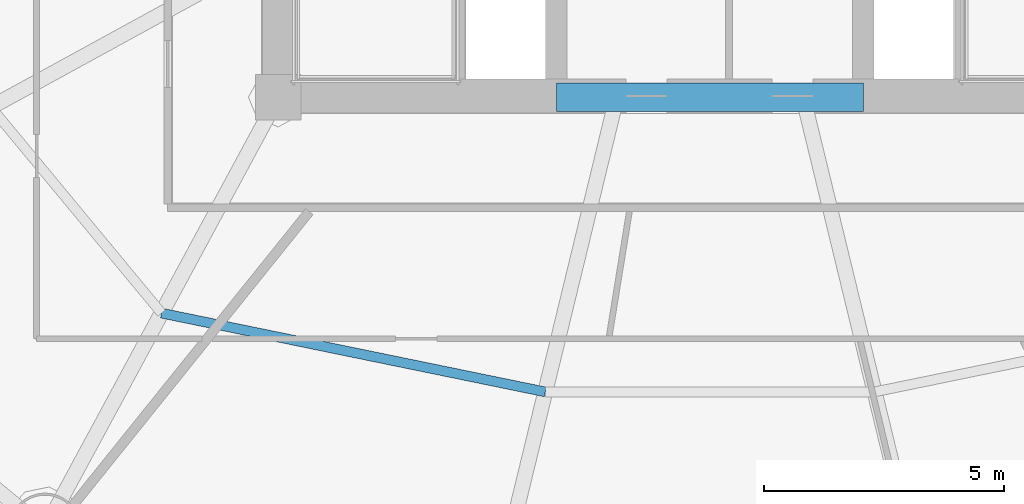
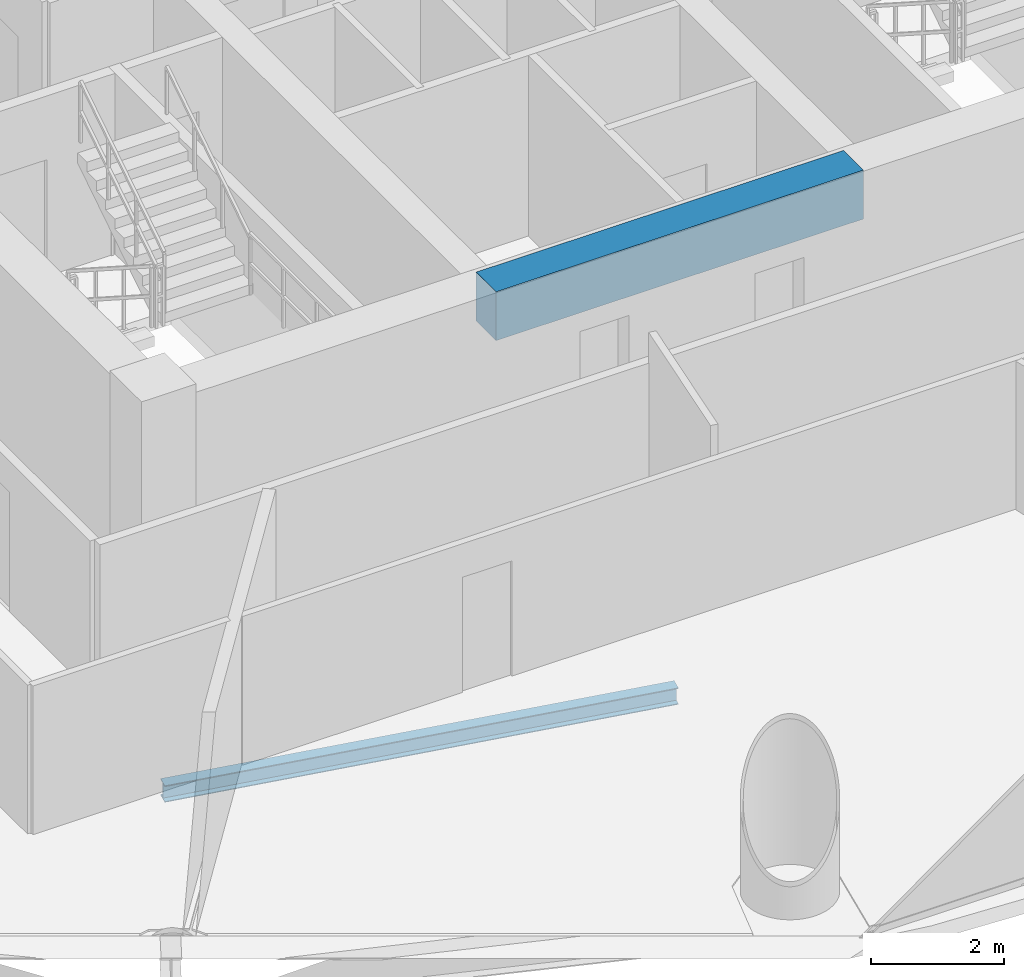
# One storey, part 6 of 29: 2 beams.
"""IFC4 building model written with IfcOpenShell, lengths in metres."""

from ifc_helpers import new_model, si_unit, direction, frame, origin, origin_2d, place, context, subcontext, project, spatial, rectangle, i_section, extrude, material, material_profile, profile_set, type_object, element, save


model = new_model("IFC4")

# Units and contexts
model_context = context("Model", 3, precision=1e-05, world=origin(), true_north=direction((-0.2419218956, 0.970295726276)))
body_context = subcontext(model_context, "Body", "Model", "MODEL_VIEW")
ifc_project = project(units=[si_unit("LENGTHUNIT", "METRE"), si_unit("AREAUNIT", "SQUARE_METRE"), si_unit("VOLUMEUNIT", "CUBIC_METRE"), si_unit("PLANEANGLEUNIT", "RADIAN"), si_unit("MASSUNIT", "GRAM", prefix="KILO")], contexts=[model_context])

# Site, building, storey
site_placement = place(None, origin())
site = spatial("IfcSite", under=ifc_project, at=site_placement, CompositionType="ELEMENT")
building_placement = place(site_placement, origin())
building = spatial("IfcBuilding", under=site, at=building_placement, Name="Cobrevalo Terracotta Tower", CompositionType="ELEMENT")
storey_placement = place(building_placement, frame((0.0, 0.0, 112.199951171875)))
storey = spatial("IfcBuildingStorey", under=building, at=storey_placement, Name="L29", CompositionType="ELEMENT", Elevation=112.199951171875)

# Beams
ifc_material_1 = material(Name="Concrete C60", Category="concrete")
ifc_material_profile_1 = material_profile(ifc_material_1, rectangle(XDim=0.60009765625, YDim=0.89990234375, at=origin_2d()), Name="RC CB 600x900")
ifc_profile_set_1 = profile_set([ifc_material_profile_1], Name="Concrete C60")
beam_type_1 = type_object("IfcBeamType", Name="Structural Beam RC CB 600x900 (Concrete C60)", PredefinedType="BEAM", material=ifc_profile_set_1)
beam_1_placement = place(storey_placement, frame((34.800048828125, 18.800048828125, 2.875), z_axis=(1.0, 0.0, 0.0), x_axis=(0.0, 1.0, 0.0)))
element("IfcBeam", 1, at=beam_1_placement, inside=storey, type_object=beam_type_1, Name="L29 core coupling beam 1", PredefinedType="BEAM", context=body_context, shape_type="SweptSolid", body=[
    extrude(rectangle(XDim=0.60009765625, YDim=0.89990234375, at=origin_2d()), origin(), (0.0, 0.0, 1.0), 6.39990234375),
])
ifc_material_2 = material(Name="Steel S355", Category="steel")
ifc_material_profile_2 = material_profile(ifc_material_2, i_section(OverallWidth=0.2041015625, OverallDepth=0.305908203125, WebThickness=0.008544921875, FlangeThickness=0.0146484375, at=origin_2d()), Name="W 310x67")
ifc_profile_set_2 = profile_set([ifc_material_profile_2], Name="Steel S355")
beam_type_2 = type_object("IfcBeamType", Name="Structural Joist W 310x67 (Steel S355)", PredefinedType="JOIST", material=ifc_profile_set_2)
beam_2_placement = place(storey_placement, frame((26.5693359375, 14.29833984375, -0.427978515625), z_axis=(0.979574469315, -0.201081722357, 0.0), x_axis=(0.201081722357, 0.979574469315, 0.0)))
element("IfcBeam", 2, at=beam_2_placement, inside=storey, type_object=beam_type_2, Name="L29 circumferential secondary floor joist 11", PredefinedType="JOIST", context=body_context, shape_type="SweptSolid", body=[
    extrude(i_section(OverallWidth=0.2041015625, OverallDepth=0.305908203125, WebThickness=0.008544921875, FlangeThickness=0.0146484375, at=origin_2d()), origin(), (0.0, 0.0, 1.0), 8.1650390625),
])

save(model, "model.ifc")
